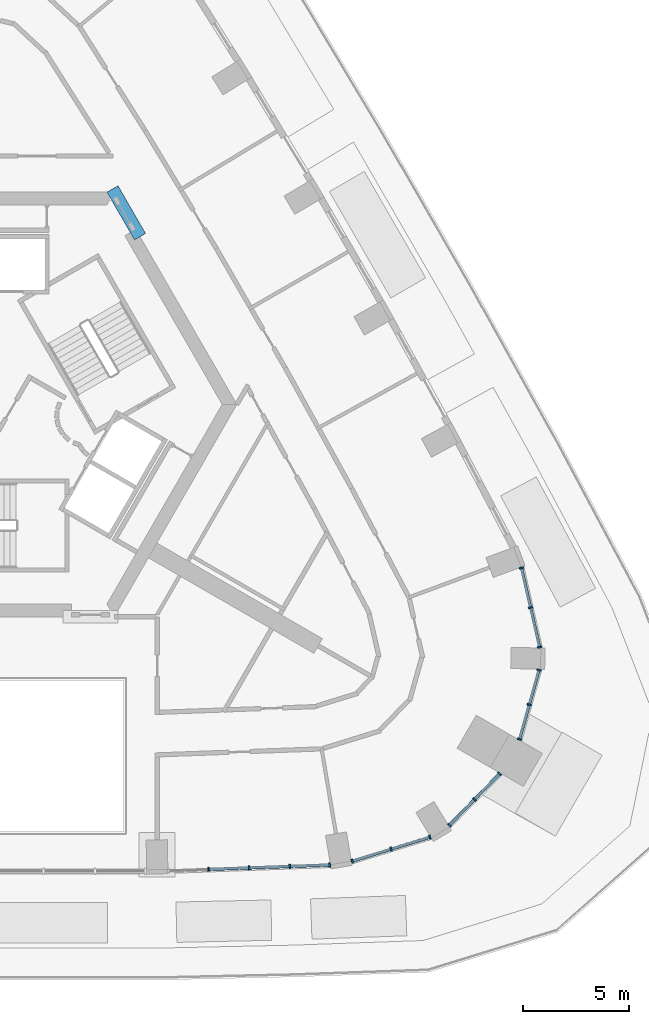
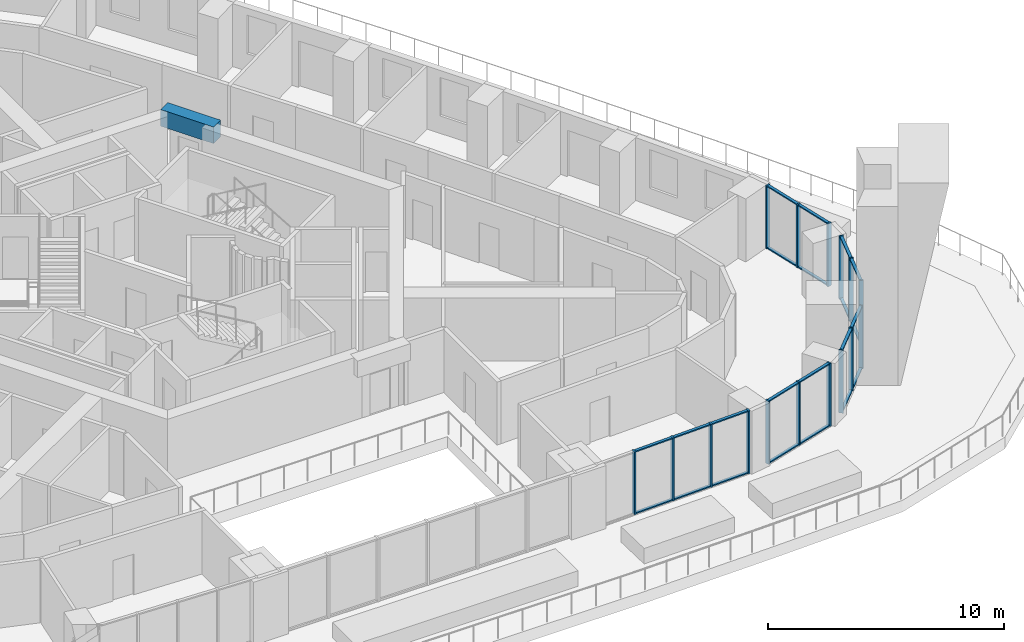
# One storey, part 3 of 14: 38 members, 1 beam, 5 elements without a shape of their own.
"""IFC4 building model written with IfcOpenShell, lengths in metres."""

from ifc_helpers import new_model, si_unit, direction, frame, origin, origin_2d, place, context, subcontext, project, spatial, rectangle, extrude, material, material_profile, profile_set, type_object, element, aggregate, save


model = new_model("IFC4")

# Units and contexts
model_context = context("Model", 3, precision=1e-05, world=origin(), true_north=direction((0.0, 1.0)))
body_context = subcontext(model_context, "Body", "Model", "MODEL_VIEW")
ifc_project = project(units=[si_unit("LENGTHUNIT", "METRE"), si_unit("AREAUNIT", "SQUARE_METRE"), si_unit("VOLUMEUNIT", "CUBIC_METRE"), si_unit("PLANEANGLEUNIT", "RADIAN"), si_unit("MASSUNIT", "GRAM", prefix="KILO")], contexts=[model_context])

# Site, building, storey
site_placement = place(None, origin())
site = spatial("IfcSite", under=ifc_project, at=site_placement, CompositionType="ELEMENT")
building_placement = place(site_placement, origin())
building = spatial("IfcBuilding", under=site, at=building_placement, Name="Entoto Arch Interchange Tower", CompositionType="ELEMENT")
storey_placement = place(building_placement, frame((0.0, 0.0, 241.39990234375)))
storey = spatial("IfcBuildingStorey", under=building, at=storey_placement, Name="L54", CompositionType="ELEMENT", Elevation=241.39990234375)

# Beam
ifc_material_1 = material(Name="Concrete C40/50", Category="concrete")
ifc_material_profile_1 = material_profile(ifc_material_1, rectangle(XDim=0.60009765625, YDim=0.860107421875, at=origin_2d()))
ifc_profile_set_1 = profile_set([ifc_material_profile_1], Name="Concrete C40/50")
beam_type = type_object("IfcBeamType", Name="Coupling beam RC 600x860 C40/50", PredefinedType="BEAM", material=ifc_profile_set_1)
beam_placement = place(storey_placement, frame((6.986083984375, 10.40087890625, 2.830078125), z_axis=(-0.500379508478, 0.865806183562, 0.0), x_axis=(-0.865806183562, -0.500379508478, 0.0)))
element("IfcBeam", 1, at=beam_placement, inside=storey, type_object=beam_type, Name="Coupling beam NE L54", PredefinedType="BEAM", context=body_context, shape_type="SweptSolid", body=[
    extrude(rectangle(XDim=0.60009765625, YDim=0.860107421875, at=origin_2d()), origin(), (0.0, 0.0, 1.0), 2.59423828125),
])

# Curtain wall, members
ifc_material_2 = material(Name="Aluminium, anodised", Category="aluminium")
curtain_wall_type = type_object("IfcCurtainWallType", Name="CURTAIN WALL HOTEL LOBBY", PredefinedType="NOTDEFINED", material=ifc_material_2)
curtain_wall_1_placement = place(storey_placement, origin())
curtain_wall_1 = element("IfcCurtainWall", 2, at=curtain_wall_1_placement, inside=storey, type_object=curtain_wall_type, Name="Hotel Lobby glazing S-03 L54", PredefinedType="NOTDEFINED")
ifc_material_profile_2 = material_profile(ifc_material_2, rectangle(XDim=0.199951171875, YDim=0.080078125, at=origin_2d()))
ifc_profile_set_2 = profile_set([ifc_material_profile_2], Name="Aluminium, anodised")
member_type_1 = type_object("IfcMemberType", Name="MULLION HOTEL LOBBY 80x200", PredefinedType="MULLION", material=ifc_profile_set_2)
member_1_placement = place(storey_placement, frame((10.2109375, -19.39501953125, 0.0), z_axis=(0.0, 0.0, 1.0), x_axis=(-0.036529128561, 0.999332588664, 0.0)))
member_1 = element("IfcMember", 3, at=member_1_placement, type_object=member_type_1, Name="CWH mullion 2", PredefinedType="MULLION", context=body_context, shape_type="SweptSolid", body=[
    extrude(rectangle(XDim=0.199951171875, YDim=0.080078125, at=origin_2d()), origin(), (0.0, 0.0, 1.0), 3.260009765625),
])
member_2_placement = place(storey_placement, frame((12.1259765625, -19.324951171875, 0.0), z_axis=(0.0, 0.0, 1.0), x_axis=(-0.036529128561, 0.999332588664, 0.0)))
member_2 = element("IfcMember", 4, at=member_2_placement, type_object=member_type_1, Name="CWH mullion 3", PredefinedType="MULLION", context=body_context, shape_type="SweptSolid", body=[
    extrude(rectangle(XDim=0.199951171875, YDim=0.080078125, at=origin_2d()), origin(), (0.0, 0.0, 1.0), 3.260009765625),
])
member_3_placement = place(storey_placement, frame((14.041015625, -19.2548828125, 0.0), z_axis=(0.0, 0.0, 1.0), x_axis=(-0.036529128561, 0.999332588664, 0.0)))
member_3 = element("IfcMember", 5, at=member_3_placement, type_object=member_type_1, Name="CWH mullion 4", PredefinedType="MULLION", context=body_context, shape_type="SweptSolid", body=[
    extrude(rectangle(XDim=0.199951171875, YDim=0.080078125, at=origin_2d()), origin(), (0.0, 0.0, 1.0), 3.260009765625),
])
member_4_placement = place(storey_placement, frame((15.916015625, -19.1865234375, 0.0), z_axis=(0.0, 0.0, 1.0), x_axis=(-0.036529128561, 0.999332588664, 0.0)))
member_4 = element("IfcMember", 6, at=member_4_placement, type_object=member_type_1, Name="CWH mullion 5", PredefinedType="MULLION", context=body_context, shape_type="SweptSolid", body=[
    extrude(rectangle(XDim=0.199951171875, YDim=0.080078125, at=origin_2d()), origin(), (0.0, 0.0, 1.0), 3.260009765625),
])

curtain_wall_2_placement = place(storey_placement, origin())
curtain_wall_2 = element("IfcCurtainWall", 7, at=curtain_wall_2_placement, inside=storey, type_object=curtain_wall_type, Name="Hotel Lobby glazing SE-01 L54", PredefinedType="NOTDEFINED")
member_5_placement = place(storey_placement, frame((16.978271484375, -19.006103515625, 0.0), z_axis=(0.0, 0.0, 1.0), x_axis=(-0.294409647977, 0.95567931817, 0.0)))
member_5 = element("IfcMember", 8, at=member_5_placement, type_object=member_type_1, Name="CWH mullion 1", PredefinedType="MULLION", context=body_context, shape_type="SweptSolid", body=[
    extrude(rectangle(XDim=0.199951171875, YDim=0.080078125, at=origin_2d()), origin(), (0.0, 0.0, 1.0), 3.260009765625),
])
member_6_placement = place(storey_placement, frame((18.806396484375, -18.443115234375, 0.0), z_axis=(0.0, 0.0, 1.0), x_axis=(-0.294409647977, 0.95567931817, 0.0)))
member_6 = element("IfcMember", 9, at=member_6_placement, type_object=member_type_1, Name="CWH mullion 2", PredefinedType="MULLION", context=body_context, shape_type="SweptSolid", body=[
    extrude(rectangle(XDim=0.199951171875, YDim=0.080078125, at=origin_2d()), origin(), (0.0, 0.0, 1.0), 3.260009765625),
])
member_7_placement = place(storey_placement, frame((20.634765625, -17.8798828125, 0.0), z_axis=(0.0, 0.0, 1.0), x_axis=(-0.294409647977, 0.95567931817, 0.0)))
member_7 = element("IfcMember", 10, at=member_7_placement, type_object=member_type_1, Name="CWH mullion 3", PredefinedType="MULLION", context=body_context, shape_type="SweptSolid", body=[
    extrude(rectangle(XDim=0.199951171875, YDim=0.080078125, at=origin_2d()), origin(), (0.0, 0.0, 1.0), 3.260009765625),
])

curtain_wall_3_placement = place(storey_placement, origin())
curtain_wall_3 = element("IfcCurtainWall", 11, at=curtain_wall_3_placement, inside=storey, type_object=curtain_wall_type, Name="Hotel Lobby glazing SE-02 L54", PredefinedType="NOTDEFINED")
member_8_placement = place(storey_placement, frame((21.555908203125, -17.3154296875, 0.0), z_axis=(0.0, 0.0, 1.0), x_axis=(-0.715715068987, 0.698392396883, 0.0)))
member_8 = element("IfcMember", 12, at=member_8_placement, type_object=member_type_1, Name="CWH mullion 1", PredefinedType="MULLION", context=body_context, shape_type="SweptSolid", body=[
    extrude(rectangle(XDim=0.199951171875, YDim=0.080078125, at=origin_2d()), origin(), (0.0, 0.0, 1.0), 3.260009765625),
])
member_9_placement = place(storey_placement, frame((22.737548828125, -16.1044921875, 0.0), z_axis=(0.0, 0.0, 1.0), x_axis=(-0.715715068987, 0.698392396883, 0.0)))
member_9 = element("IfcMember", 13, at=member_9_placement, type_object=member_type_1, Name="CWH mullion 2", PredefinedType="MULLION", context=body_context, shape_type="SweptSolid", body=[
    extrude(rectangle(XDim=0.199951171875, YDim=0.080078125, at=origin_2d()), origin(), (0.0, 0.0, 1.0), 3.260009765625),
])
member_10_placement = place(storey_placement, frame((23.9189453125, -14.8935546875, 0.0), z_axis=(0.0, 0.0, 1.0), x_axis=(-0.715715068987, 0.698392396883, 0.0)))
member_10 = element("IfcMember", 14, at=member_10_placement, type_object=member_type_1, Name="CWH mullion 3", PredefinedType="MULLION", context=body_context, shape_type="SweptSolid", body=[
    extrude(rectangle(XDim=0.199951171875, YDim=0.080078125, at=origin_2d()), origin(), (0.0, 0.0, 1.0), 3.260009765625),
])

curtain_wall_4_placement = place(storey_placement, origin())
curtain_wall_4 = element("IfcCurtainWall", 15, at=curtain_wall_4_placement, inside=storey, type_object=curtain_wall_type, Name="Hotel Lobby glazing SE-03 L54", PredefinedType="NOTDEFINED")
member_11_placement = place(storey_placement, frame((24.85693359375, -13.2685546875, 0.0), z_axis=(0.0, 0.0, 1.0), x_axis=(-0.962594515404, 0.2709461181, 0.0)))
member_11 = element("IfcMember", 16, at=member_11_placement, type_object=member_type_1, Name="CWH mullion 1", PredefinedType="MULLION", context=body_context, shape_type="SweptSolid", body=[
    extrude(rectangle(XDim=0.199951171875, YDim=0.080078125, at=origin_2d()), origin(), (0.0, 0.0, 1.0), 3.260009765625),
])
member_12_placement = place(storey_placement, frame((25.3154296875, -11.638916015625, 0.0), z_axis=(0.0, 0.0, 1.0), x_axis=(-0.962594515404, 0.2709461181, 0.0)))
member_12 = element("IfcMember", 17, at=member_12_placement, type_object=member_type_1, Name="CWH mullion 2", PredefinedType="MULLION", context=body_context, shape_type="SweptSolid", body=[
    extrude(rectangle(XDim=0.199951171875, YDim=0.080078125, at=origin_2d()), origin(), (0.0, 0.0, 1.0), 3.260009765625),
])
member_13_placement = place(storey_placement, frame((25.774169921875, -10.009521484375, 0.0), z_axis=(0.0, 0.0, 1.0), x_axis=(-0.962594515404, 0.2709461181, 0.0)))
member_13 = element("IfcMember", 18, at=member_13_placement, type_object=member_type_1, Name="CWH mullion 3", PredefinedType="MULLION", context=body_context, shape_type="SweptSolid", body=[
    extrude(rectangle(XDim=0.199951171875, YDim=0.080078125, at=origin_2d()), origin(), (0.0, 0.0, 1.0), 3.260009765625),
])

curtain_wall_5_placement = place(storey_placement, origin())
curtain_wall_5 = element("IfcCurtainWall", 19, at=curtain_wall_5_placement, inside=storey, type_object=curtain_wall_type, Name="Hotel Lobby glazing SE-04 L54", PredefinedType="NOTDEFINED")
member_14_placement = place(storey_placement, frame((25.801025390625, -8.929931640625, 0.0), z_axis=(0.0, 0.0, 1.0), x_axis=(-0.974880746061, -0.222727481374, 0.0)))
member_14 = element("IfcMember", 20, at=member_14_placement, type_object=member_type_1, Name="CWH mullion 1", PredefinedType="MULLION", context=body_context, shape_type="SweptSolid", body=[
    extrude(rectangle(XDim=0.199951171875, YDim=0.080078125, at=origin_2d()), origin(), (0.0, 0.0, 1.0), 3.260009765625),
])
member_15_placement = place(storey_placement, frame((25.375, -7.06494140625, 0.0), z_axis=(0.0, 0.0, 1.0), x_axis=(-0.974880746061, -0.222727481374, 0.0)))
member_15 = element("IfcMember", 21, at=member_15_placement, type_object=member_type_1, Name="CWH mullion 2", PredefinedType="MULLION", context=body_context, shape_type="SweptSolid", body=[
    extrude(rectangle(XDim=0.199951171875, YDim=0.080078125, at=origin_2d()), origin(), (0.0, 0.0, 1.0), 3.260009765625),
])
member_16_placement = place(storey_placement, frame((24.948974609375, -5.199951171875, 0.0), z_axis=(0.0, 0.0, 1.0), x_axis=(-0.974880746061, -0.222727481374, 0.0)))
member_16 = element("IfcMember", 22, at=member_16_placement, type_object=member_type_1, Name="CWH mullion 3", PredefinedType="MULLION", context=body_context, shape_type="SweptSolid", body=[
    extrude(rectangle(XDim=0.199951171875, YDim=0.080078125, at=origin_2d()), origin(), (0.0, 0.0, 1.0), 3.260009765625),
])

# Member
ifc_material_profile_3 = material_profile(ifc_material_2, rectangle(XDim=0.139892578125, YDim=0.06005859375, at=origin_2d()))
ifc_profile_set_3 = profile_set([ifc_material_profile_3], Name="Aluminium, anodised")
member_type_2 = type_object("IfcMemberType", Name="TRANSOM HOTEL LOBBY 60x140", PredefinedType="USERDEFINED", material=ifc_profile_set_3)
member_17_placement = place(storey_placement, frame((10.2509765625, -19.3935546875, 0.030029296875), z_axis=(0.999331308096, 0.036564144455, 0.0), x_axis=(-0.036564144455, 0.999331308096, 0.0)))
member_17 = element("IfcMember", 23, at=member_17_placement, type_object=member_type_2, Name="CWH transom 2.1", ObjectType="TRANSOM", PredefinedType="USERDEFINED", context=body_context, shape_type="SweptSolid", body=[
    extrude(rectangle(XDim=0.139892578125, YDim=0.06005859375, at=origin_2d()), origin(), (0.0, 0.0, 1.0), 1.836181640625),
])

member_18_placement = place(storey_placement, frame((10.2509765625, -19.3935546875, 3.22998046875), z_axis=(0.999331308096, 0.036564144455, 0.0), x_axis=(-0.036564144455, 0.999331308096, 0.0)))
member_18 = element("IfcMember", 24, at=member_18_placement, type_object=member_type_2, Name="CWH transom 2.2", ObjectType="TRANSOM", PredefinedType="USERDEFINED", context=body_context, shape_type="SweptSolid", body=[
    extrude(rectangle(XDim=0.139892578125, YDim=0.06005859375, at=origin_2d()), origin(), (0.0, 0.0, 1.0), 1.836181640625),
])

member_19_placement = place(storey_placement, frame((12.166015625, -19.323486328125, 0.030029296875), z_axis=(0.999331308096, 0.036564144455, 0.0), x_axis=(-0.036564144455, 0.999331308096, 0.0)))
member_19 = element("IfcMember", 25, at=member_19_placement, type_object=member_type_2, Name="CWH transom 3.1", ObjectType="TRANSOM", PredefinedType="USERDEFINED", context=body_context, shape_type="SweptSolid", body=[
    extrude(rectangle(XDim=0.139892578125, YDim=0.06005859375, at=origin_2d()), origin(), (0.0, 0.0, 1.0), 1.836181640625),
])

member_20_placement = place(storey_placement, frame((12.166015625, -19.323486328125, 3.22998046875), z_axis=(0.999331308096, 0.036564144455, 0.0), x_axis=(-0.036564144455, 0.999331308096, 0.0)))
member_20 = element("IfcMember", 26, at=member_20_placement, type_object=member_type_2, Name="CWH transom 3.2", ObjectType="TRANSOM", PredefinedType="USERDEFINED", context=body_context, shape_type="SweptSolid", body=[
    extrude(rectangle(XDim=0.139892578125, YDim=0.06005859375, at=origin_2d()), origin(), (0.0, 0.0, 1.0), 1.836181640625),
])

member_21_placement = place(storey_placement, frame((14.0810546875, -19.25341796875, 0.030029296875), z_axis=(0.999336262978, 0.036428470957, 0.0), x_axis=(-0.036428470957, 0.999336262978, 0.0)))
member_21 = element("IfcMember", 27, at=member_21_placement, type_object=member_type_2, Name="CWH transom 4.1", ObjectType="TRANSOM", PredefinedType="USERDEFINED", context=body_context, shape_type="SweptSolid", body=[
    extrude(rectangle(XDim=0.139892578125, YDim=0.06005859375, at=origin_2d()), origin(), (0.0, 0.0, 1.0), 1.796142578125),
])

member_22_placement = place(storey_placement, frame((14.0810546875, -19.25341796875, 3.22998046875), z_axis=(0.999336262978, 0.036428470957, 0.0), x_axis=(-0.036428470957, 0.999336262978, 0.0)))
member_22 = element("IfcMember", 28, at=member_22_placement, type_object=member_type_2, Name="CWH transom 4.2", ObjectType="TRANSOM", PredefinedType="USERDEFINED", context=body_context, shape_type="SweptSolid", body=[
    extrude(rectangle(XDim=0.139892578125, YDim=0.06005859375, at=origin_2d()), origin(), (0.0, 0.0, 1.0), 1.796142578125),
])

aggregate(curtain_wall_1, [member_1, member_2, member_3, member_4, member_17, member_18, member_19, member_20, member_21, member_22])

member_23_placement = place(storey_placement, frame((17.016357421875, -18.994384765625, 0.030029296875), z_axis=(0.955704108645, 0.294329163894, 0.0), x_axis=(-0.294329163894, 0.955704108645, 0.0)))
member_23 = element("IfcMember", 29, at=member_23_placement, type_object=member_type_2, Name="CWH transom 1.1", ObjectType="TRANSOM", PredefinedType="USERDEFINED", context=body_context, shape_type="SweptSolid", body=[
    extrude(rectangle(XDim=0.139892578125, YDim=0.06005859375, at=origin_2d()), origin(), (0.0, 0.0, 1.0), 1.833251953125),
])

member_24_placement = place(storey_placement, frame((17.016357421875, -18.994384765625, 3.22998046875), z_axis=(0.955704108645, 0.294329163894, 0.0), x_axis=(-0.294329163894, 0.955704108645, 0.0)))
member_24 = element("IfcMember", 30, at=member_24_placement, type_object=member_type_2, Name="CWH transom 1.2", ObjectType="TRANSOM", PredefinedType="USERDEFINED", context=body_context, shape_type="SweptSolid", body=[
    extrude(rectangle(XDim=0.139892578125, YDim=0.06005859375, at=origin_2d()), origin(), (0.0, 0.0, 1.0), 1.833251953125),
])

member_25_placement = place(storey_placement, frame((18.8447265625, -18.43115234375, 0.030029296875), z_axis=(0.955692569051, 0.294366631025, 0.0), x_axis=(-0.294366631025, 0.955692569051, 0.0)))
member_25 = element("IfcMember", 31, at=member_25_placement, type_object=member_type_2, Name="CWH transom 2.1", ObjectType="TRANSOM", PredefinedType="USERDEFINED", context=body_context, shape_type="SweptSolid", body=[
    extrude(rectangle(XDim=0.139892578125, YDim=0.06005859375, at=origin_2d()), origin(), (0.0, 0.0, 1.0), 1.8330078125),
])

member_26_placement = place(storey_placement, frame((18.8447265625, -18.43115234375, 3.22998046875), z_axis=(0.955692569051, 0.294366631025, 0.0), x_axis=(-0.294366631025, 0.955692569051, 0.0)))
member_26 = element("IfcMember", 32, at=member_26_placement, type_object=member_type_2, Name="CWH transom 2.2", ObjectType="TRANSOM", PredefinedType="USERDEFINED", context=body_context, shape_type="SweptSolid", body=[
    extrude(rectangle(XDim=0.139892578125, YDim=0.06005859375, at=origin_2d()), origin(), (0.0, 0.0, 1.0), 1.8330078125),
])

aggregate(curtain_wall_2, [member_5, member_6, member_7, member_23, member_24, member_25, member_26])

member_27_placement = place(storey_placement, frame((21.583984375, -17.28662109375, 0.030029296875), z_axis=(0.698342781602, 0.715763480058, 0.0), x_axis=(-0.715763480058, 0.698342781602, 0.0)))
member_27 = element("IfcMember", 33, at=member_27_placement, type_object=member_type_2, Name="CWH transom 1.1", ObjectType="TRANSOM", PredefinedType="USERDEFINED", context=body_context, shape_type="SweptSolid", body=[
    extrude(rectangle(XDim=0.139892578125, YDim=0.06005859375, at=origin_2d()), origin(), (0.0, 0.0, 1.0), 1.611572265625),
])

member_28_placement = place(storey_placement, frame((21.583984375, -17.28662109375, 3.22998046875), z_axis=(0.698342781602, 0.715763480058, 0.0), x_axis=(-0.715763480058, 0.698342781602, 0.0)))
member_28 = element("IfcMember", 34, at=member_28_placement, type_object=member_type_2, Name="CWH transom 1.2", ObjectType="TRANSOM", PredefinedType="USERDEFINED", context=body_context, shape_type="SweptSolid", body=[
    extrude(rectangle(XDim=0.139892578125, YDim=0.06005859375, at=origin_2d()), origin(), (0.0, 0.0, 1.0), 1.611572265625),
])

member_29_placement = place(storey_placement, frame((22.765380859375, -16.075927734375, 0.030029296875), z_axis=(0.698420377342, 0.71568776468, 0.0), x_axis=(-0.71568776468, 0.698420377342, 0.0)))
member_29 = element("IfcMember", 35, at=member_29_placement, type_object=member_type_2, Name="CWH transom 2.1", ObjectType="TRANSOM", PredefinedType="USERDEFINED", context=body_context, shape_type="SweptSolid", body=[
    extrude(rectangle(XDim=0.139892578125, YDim=0.06005859375, at=origin_2d()), origin(), (0.0, 0.0, 1.0), 1.61181640625),
])

member_30_placement = place(storey_placement, frame((22.765380859375, -16.075927734375, 3.22998046875), z_axis=(0.698420377342, 0.71568776468, 0.0), x_axis=(-0.71568776468, 0.698420377342, 0.0)))
member_30 = element("IfcMember", 36, at=member_30_placement, type_object=member_type_2, Name="CWH transom 2.2", ObjectType="TRANSOM", PredefinedType="USERDEFINED", context=body_context, shape_type="SweptSolid", body=[
    extrude(rectangle(XDim=0.139892578125, YDim=0.06005859375, at=origin_2d()), origin(), (0.0, 0.0, 1.0), 1.61181640625),
])

aggregate(curtain_wall_3, [member_8, member_9, member_10, member_27, member_28, member_29, member_30])

member_31_placement = place(storey_placement, frame((24.86767578125, -13.22998046875, 0.030029296875), z_axis=(0.270960371292, 0.962590503376, 0.0), x_axis=(-0.962590503376, 0.270960371292, 0.0)))
member_31 = element("IfcMember", 37, at=member_31_placement, type_object=member_type_2, Name="CWH transom 1.1", ObjectType="TRANSOM", PredefinedType="USERDEFINED", context=body_context, shape_type="SweptSolid", body=[
    extrude(rectangle(XDim=0.139892578125, YDim=0.06005859375, at=origin_2d()), origin(), (0.0, 0.0, 1.0), 1.61279296875),
])

member_32_placement = place(storey_placement, frame((24.86767578125, -13.22998046875, 3.22998046875), z_axis=(0.270960371292, 0.962590503376, 0.0), x_axis=(-0.962590503376, 0.270960371292, 0.0)))
member_32 = element("IfcMember", 38, at=member_32_placement, type_object=member_type_2, Name="CWH transom 1.2", ObjectType="TRANSOM", PredefinedType="USERDEFINED", context=body_context, shape_type="SweptSolid", body=[
    extrude(rectangle(XDim=0.139892578125, YDim=0.06005859375, at=origin_2d()), origin(), (0.0, 0.0, 1.0), 1.61279296875),
])

member_33_placement = place(storey_placement, frame((25.326416015625, -11.6005859375, 0.030029296875), z_axis=(0.270960371292, 0.962590503376, 0.0), x_axis=(-0.962590503376, 0.270960371292, 0.0)))
member_33 = element("IfcMember", 39, at=member_33_placement, type_object=member_type_2, Name="CWH transom 2.1", ObjectType="TRANSOM", PredefinedType="USERDEFINED", context=body_context, shape_type="SweptSolid", body=[
    extrude(rectangle(XDim=0.139892578125, YDim=0.06005859375, at=origin_2d()), origin(), (0.0, 0.0, 1.0), 1.61279296875),
])

member_34_placement = place(storey_placement, frame((25.326416015625, -11.6005859375, 3.22998046875), z_axis=(0.270960371292, 0.962590503376, 0.0), x_axis=(-0.962590503376, 0.270960371292, 0.0)))
member_34 = element("IfcMember", 40, at=member_34_placement, type_object=member_type_2, Name="CWH transom 2.2", ObjectType="TRANSOM", PredefinedType="USERDEFINED", context=body_context, shape_type="SweptSolid", body=[
    extrude(rectangle(XDim=0.139892578125, YDim=0.06005859375, at=origin_2d()), origin(), (0.0, 0.0, 1.0), 1.61279296875),
])

aggregate(curtain_wall_4, [member_11, member_12, member_13, member_31, member_32, member_33, member_34])

member_35_placement = place(storey_placement, frame((25.792236328125, -8.89111328125, 0.030029296875), z_axis=(-0.222806720671, 0.974862639157, 0.0), x_axis=(-0.974862639157, -0.222806720671, 0.0)))
member_35 = element("IfcMember", 41, at=member_35_placement, type_object=member_type_2, Name="CWH transom 1.1", ObjectType="TRANSOM", PredefinedType="USERDEFINED", context=body_context, shape_type="SweptSolid", body=[
    extrude(rectangle(XDim=0.139892578125, YDim=0.06005859375, at=origin_2d()), origin(), (0.0, 0.0, 1.0), 1.833251953125),
])

member_36_placement = place(storey_placement, frame((25.792236328125, -8.89111328125, 3.22998046875), z_axis=(-0.222806720671, 0.974862639157, 0.0), x_axis=(-0.974862639157, -0.222806720671, 0.0)))
member_36 = element("IfcMember", 42, at=member_36_placement, type_object=member_type_2, Name="CWH transom 1.2", ObjectType="TRANSOM", PredefinedType="USERDEFINED", context=body_context, shape_type="SweptSolid", body=[
    extrude(rectangle(XDim=0.139892578125, YDim=0.06005859375, at=origin_2d()), origin(), (0.0, 0.0, 1.0), 1.833251953125),
])

member_37_placement = place(storey_placement, frame((25.3662109375, -7.026123046875, 0.030029296875), z_axis=(-0.222806720671, 0.974862639157, 0.0), x_axis=(-0.974862639157, -0.222806720671, 0.0)))
member_37 = element("IfcMember", 43, at=member_37_placement, type_object=member_type_2, Name="CWH transom 2.1", ObjectType="TRANSOM", PredefinedType="USERDEFINED", context=body_context, shape_type="SweptSolid", body=[
    extrude(rectangle(XDim=0.139892578125, YDim=0.06005859375, at=origin_2d()), origin(), (0.0, 0.0, 1.0), 1.833251953125),
])

member_38_placement = place(storey_placement, frame((25.3662109375, -7.026123046875, 3.22998046875), z_axis=(-0.222806720671, 0.974862639157, 0.0), x_axis=(-0.974862639157, -0.222806720671, 0.0)))
member_38 = element("IfcMember", 44, at=member_38_placement, type_object=member_type_2, Name="CWH transom 2.2", ObjectType="TRANSOM", PredefinedType="USERDEFINED", context=body_context, shape_type="SweptSolid", body=[
    extrude(rectangle(XDim=0.139892578125, YDim=0.06005859375, at=origin_2d()), origin(), (0.0, 0.0, 1.0), 1.833251953125),
])

aggregate(curtain_wall_5, [member_14, member_15, member_16, member_35, member_36, member_37, member_38])

save(model, "model.ifc")
